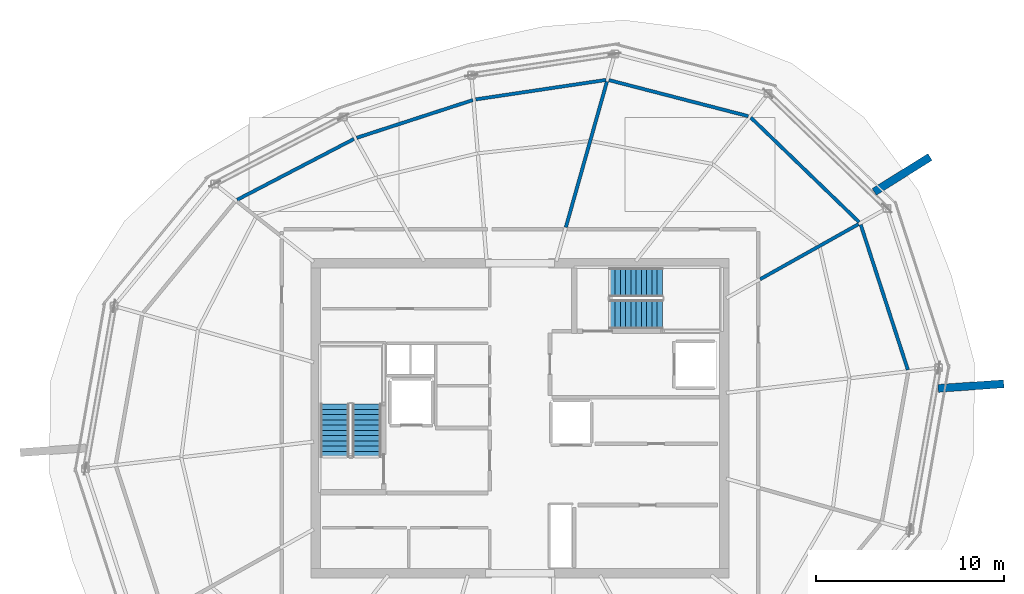
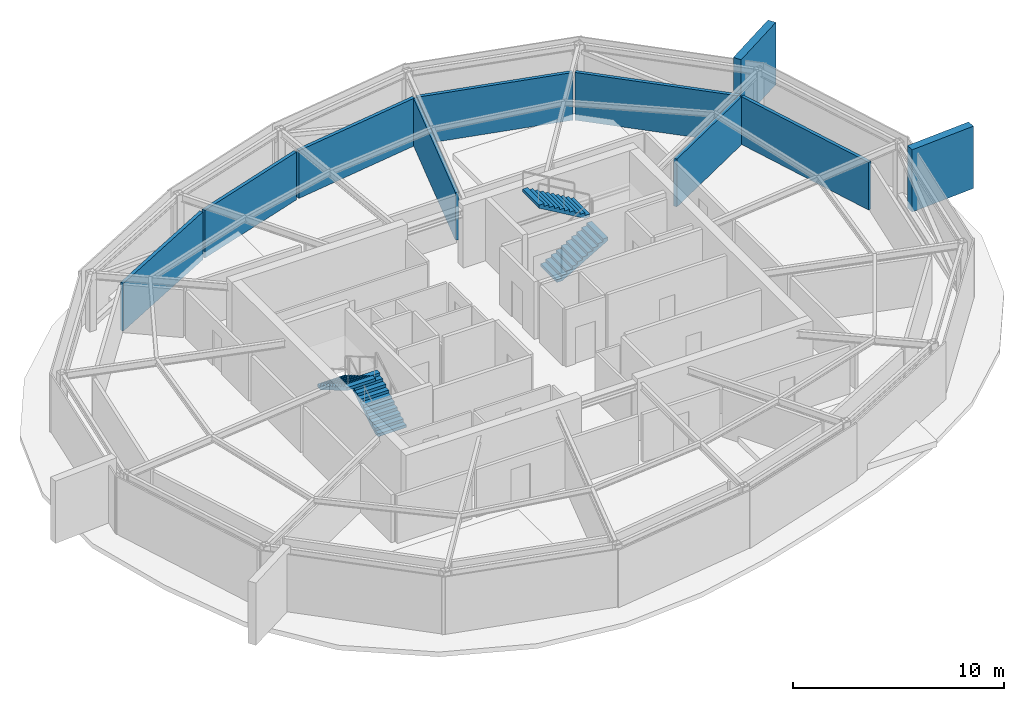
# One storey, part 9 of 10: 10 walls, 4 stair flights, 2 elements without a shape of their own.
"""IFC4 building model written with IfcOpenShell, lengths in metres."""

from ifc_helpers import new_model, si_unit, direction, frame, frame_2d, origin, place, context, subcontext, project, spatial, polyline, rectangle, outline, extrude, material, layer, layer_set, type_object, element, aggregate, save


model = new_model("IFC4")

# Units and contexts
model_context = context("Model", 3, precision=1e-05, world=origin(), true_north=direction((0.0, 1.0)))
body_context = subcontext(model_context, "Body", "Model", "MODEL_VIEW")
ifc_project = project(units=[si_unit("LENGTHUNIT", "METRE"), si_unit("AREAUNIT", "SQUARE_METRE"), si_unit("VOLUMEUNIT", "CUBIC_METRE"), si_unit("PLANEANGLEUNIT", "RADIAN"), si_unit("MASSUNIT", "GRAM", prefix="KILO")], contexts=[model_context])

# Site, building, storey
site_placement = place(None, origin())
site = spatial("IfcSite", under=ifc_project, at=site_placement, CompositionType="ELEMENT")
building_placement = place(site_placement, origin())
building = spatial("IfcBuilding", under=site, at=building_placement, Name="Kazma Halo Residences", CompositionType="ELEMENT")
storey_placement = place(building_placement, frame((0.0, 0.0, 356.0)))
storey = spatial("IfcBuildingStorey", under=building, at=storey_placement, Name="L89", CompositionType="ELEMENT", Elevation=356.0)

# Walls
ifc_material_1 = material(Name="Pale Concrete C60/75", Category="concrete")
ifc_layer_1 = layer(ifc_material_1, 0.419921875)
ifc_layer_set_1 = layer_set([ifc_layer_1], Name="Pale Concrete C60/75")
wall_type_1 = type_object("IfcWallType", Name="WL-BLADE-420", PredefinedType="SOLIDWALL", material=ifc_layer_set_1)
for number, where, z_axis, x_axis, name in (
    (1, (67.268798828125, 54.04052734375, 0.0), (0.0, 0.0, 1.0), (0.848033572426, 0.529942506352, 0.0), "L89 pale concrete structural blade fin wall BW-01"),
    (2, (70.666015625, 43.5849609375, 0.0), (0.0, 0.0, 1.0), (0.997564163539, 0.069754853754, 0.0), "L89 pale concrete structural blade fin wall BW-04"),
):
    element("IfcWall", number, at=place(storey_placement, frame(where, z_axis=z_axis, x_axis=x_axis)), inside=storey, type_object=wall_type_1, Name=name, PredefinedType="SOLIDWALL", context=body_context, shape_type="SweptSolid", body=[
        extrude(rectangle(XDim=3.5, YDim=0.419921875, at=frame_2d((1.75, 0.0))), origin(), (0.0, 0.0, 1.0), 3.60009765625),
    ])
ifc_material_2 = material(Name="Acoustic Twin-Stud Gypsum")
ifc_layer_2 = layer(ifc_material_2, 0.179931640625)
ifc_layer_set_2 = layer_set([ifc_layer_2], Name="Acoustic Twin-Stud Gypsum")
wall_type_2 = type_object("IfcWallType", Name="WL-DEM-180", PredefinedType="PARTITIONING", material=ifc_layer_set_2)
wall_1_placement = place(storey_placement, frame((66.466796875, 52.4296875, 0.0), z_axis=(0.0, 0.0, 1.0), x_axis=(-0.719364153135, 0.694633151516, 0.0)))
element("IfcWall", 3, at=wall_1_placement, inside=storey, type_object=wall_type_2, Name="L89 crown plant perimeter wall 00", PredefinedType="PARTITIONING", context=body_context, shape_type="SweptSolid", body=[
    extrude(rectangle(XDim=8.006103515625, YDim=0.179931640625, at=frame_2d((4.0029296875, 0.0))), origin(), (0.0, 0.0, 1.0), 2.760009765625),
])
wall_2_placement = place(storey_placement, frame((60.57275390625, 58.06640625, 0.0), z_axis=(0.0, 0.0, 1.0), x_axis=(-0.968117205342, 0.250497658115, 0.0)))
element("IfcWall", 4, at=wall_2_placement, inside=storey, type_object=wall_type_2, Name="L89 crown plant perimeter wall 01", PredefinedType="PARTITIONING", context=body_context, shape_type="SweptSolid", body=[
    extrude(rectangle(XDim=7.66162109375, YDim=0.179931640625, at=frame_2d((3.830810546875, 0.0))), origin(), (0.0, 0.0, 1.0), 2.760009765625),
])
wall_3_placement = place(storey_placement, frame((52.9990234375, 59.99365234375, 0.0), z_axis=(0.0, 0.0, 1.0), x_axis=(-0.989034336252, -0.147685753256, 0.0)))
element("IfcWall", 5, at=wall_3_placement, inside=storey, type_object=wall_type_2, Name="L89 crown plant perimeter wall 02", PredefinedType="PARTITIONING", context=body_context, shape_type="SweptSolid", body=[
    extrude(rectangle(XDim=7.002685546875, YDim=0.179931640625, at=frame_2d((3.50146484375, 0.0))), origin(), (0.0, 0.0, 1.0), 2.760009765625),
])
wall_4_placement = place(storey_placement, frame((45.91796875, 58.923095703125, 0.0), z_axis=(0.0, 0.0, 1.0), x_axis=(-0.95105283999, -0.309028308649, 0.0)))
element("IfcWall", 6, at=wall_4_placement, inside=storey, type_object=wall_type_2, Name="L89 crown plant perimeter wall 03", PredefinedType="PARTITIONING", context=body_context, shape_type="SweptSolid", body=[
    extrude(rectangle(XDim=6.498779296875, YDim=0.179931640625, at=frame_2d((3.24951171875, 0.0))), origin(), (0.0, 0.0, 1.0), 2.760009765625),
])
wall_5_placement = place(storey_placement, frame((39.590087890625, 56.85302734375, 0.0), z_axis=(0.0, 0.0, 1.0), x_axis=(-0.886949494865, -0.461866423935, 0.0)))
element("IfcWall", 7, at=wall_5_placement, inside=storey, type_object=wall_type_2, Name="L89 crown plant perimeter wall 04", PredefinedType="PARTITIONING", context=body_context, shape_type="SweptSolid", body=[
    extrude(rectangle(XDim=7.002197265625, YDim=0.179931640625, at=frame_2d((3.5009765625, 0.0))), origin(), (0.0, 0.0, 1.0), 2.760009765625),
])
wall_6_placement = place(storey_placement, frame((69.059326171875, 44.571533203125, 0.0), z_axis=(0.0, 0.0, 1.0), x_axis=(-0.309024234991, 0.951054163646, 0.0)))
element("IfcWall", 8, at=wall_6_placement, inside=storey, type_object=wall_type_2, Name="L89 crown plant perimeter wall 15", PredefinedType="PARTITIONING", context=body_context, shape_type="SweptSolid", body=[
    extrude(rectangle(XDim=8.1240234375, YDim=0.179931640625, at=frame_2d((4.06201171875, 0.0))), origin(), (0.0, 0.0, 1.0), 2.760009765625),
])
wall_7_placement = place(storey_placement, frame((61.196044921875, 49.39013671875, 0.0), z_axis=(0.0, 0.0, 1.0), x_axis=(0.87249769897, 0.488618220385, 0.0)))
element("IfcWall", 9, at=wall_7_placement, inside=storey, type_object=wall_type_2, Name="L89 radial partition wall 00", PredefinedType="PARTITIONING", context=body_context, shape_type="SweptSolid", body=[
    extrude(rectangle(XDim=6.0068359375, YDim=0.179931640625, at=frame_2d((3.00341796875, 0.0))), origin(), (0.0, 0.0, 1.0), 2.760009765625),
])
wall_8_placement = place(storey_placement, frame((50.8642578125, 52.156005859375, 0.0), z_axis=(0.0, 0.0, 1.0), x_axis=(0.271457285698, 0.962450488099, 0.0)))
element("IfcWall", 10, at=wall_8_placement, inside=storey, type_object=wall_type_2, Name="L89 radial partition wall 02", PredefinedType="PARTITIONING", context=body_context, shape_type="SweptSolid", body=[
    extrude(rectangle(XDim=8.0556640625, YDim=0.179931640625, at=frame_2d((4.02783203125, 0.0))), origin(), (0.0, 0.0, 1.0), 2.760009765625),
])

# Stair, stair flights
ifc_material_3 = material(Name="Concrete C50/60", Category="concrete")
stair_type = type_object("IfcStairType", Name="STR-CRWN", PredefinedType="HALF_TURN_STAIR", material=ifc_material_3)
stair_1_placement = place(storey_placement, origin())
stair_1 = element("IfcStair", 11, at=stair_1_placement, inside=storey, type_object=stair_type, Name="L89 Core exit stair ST-01", PredefinedType="HALF_TURN_STAIR")
stair_flight_type = type_object("IfcStairFlightType", Name="STR-CRWN-FLT", PredefinedType="STRAIGHT", material=ifc_material_3)
stair_flight_1_placement = place(storey_placement, frame((40.27490234375, 39.949951171875, 0.0), z_axis=(0.0, 0.0, 1.0), x_axis=(0.0, 1.0, 0.0)))
stair_flight_1 = element("IfcStairFlight", 12, at=stair_flight_1_placement, type_object=stair_flight_type, Name="ST-01 flight 1", NumberOfRisers=11, NumberOfTreads=10, PredefinedType="STRAIGHT", RiserHeight=0.163636364, TreadLength=0.28, context=body_context, shape_type="SweptSolid", body=[
    extrude(outline(polyline([(0.0, 0.0), (0.0, 0.16357421875), (0.280029296875, 0.16357421875), (0.280029296875, 0.327392578125), (0.56005859375, 0.327392578125), (0.56005859375, 0.490966796875), (0.840087890625, 0.490966796875), (0.840087890625, 0.654541015625), (1.1201171875, 0.654541015625), (1.1201171875, 0.818115234375), (1.39990234375, 0.818115234375), (1.39990234375, 0.98193359375), (1.679931640625, 0.98193359375), (1.679931640625, 1.1455078125), (1.9599609375, 1.1455078125), (1.9599609375, 1.30908203125), (2.239990234375, 1.30908203125), (2.239990234375, 1.47265625), (2.52001953125, 1.47265625), (2.52001953125, 1.636474609375), (2.800048828125, 1.636474609375), (2.800048828125, 1.800048828125), (2.800048828125, 1.462646484375), (0.297119140625, 0.0), (0.0, 0.0)])), frame((0.0, 0.77490234375, 0.0), z_axis=(0.0, -1.0, 0.0), x_axis=(1.0, 0.0, 0.0)), (0.0, 0.0, 1.0), 1.550048828125),
])
stair_flight_2_placement = place(storey_placement, frame((38.574951171875, 42.75, 1.800048828125), z_axis=(0.0, 0.0, 1.0), x_axis=(0.0, -1.0, 0.0)))
stair_flight_2 = element("IfcStairFlight", 13, at=stair_flight_2_placement, type_object=stair_flight_type, Name="ST-01 flight 2", NumberOfRisers=11, NumberOfTreads=10, PredefinedType="STRAIGHT", RiserHeight=0.163636364, TreadLength=0.28, context=body_context, shape_type="SweptSolid", body=[
    extrude(outline(polyline([(0.0, 0.0), (0.0, 0.16357421875), (0.280029296875, 0.16357421875), (0.280029296875, 0.327392578125), (0.56005859375, 0.327392578125), (0.56005859375, 0.490966796875), (0.840087890625, 0.490966796875), (0.840087890625, 0.654541015625), (1.1201171875, 0.654541015625), (1.1201171875, 0.818115234375), (1.39990234375, 0.818115234375), (1.39990234375, 0.98193359375), (1.679931640625, 0.98193359375), (1.679931640625, 1.1455078125), (1.9599609375, 1.1455078125), (1.9599609375, 1.30908203125), (2.239990234375, 1.30908203125), (2.239990234375, 1.47265625), (2.52001953125, 1.47265625), (2.52001953125, 1.636474609375), (2.800048828125, 1.636474609375), (2.800048828125, 1.800048828125), (2.800048828125, 1.462646484375), (0.297119140625, 0.0), (0.0, 0.0)])), frame((0.0, 0.77490234375, 0.0), z_axis=(0.0, -1.0, 0.0), x_axis=(1.0, 0.0, 0.0)), (0.0, 0.0, 1.0), 1.550048828125),
])
aggregate(stair_1, [stair_flight_1, stair_flight_2])

stair_2_placement = place(storey_placement, origin())
stair_2 = element("IfcStair", 14, at=stair_2_placement, inside=storey, type_object=stair_type, Name="L89 Core exit stair ST-02", PredefinedType="HALF_TURN_STAIR")
stair_flight_3_placement = place(storey_placement, frame((53.199951171875, 47.52490234375, 0.0), z_axis=(0.0, 0.0, 1.0), x_axis=(1.0, 0.0, 0.0)))
stair_flight_3 = element("IfcStairFlight", 15, at=stair_flight_3_placement, type_object=stair_flight_type, Name="ST-02 flight 1", NumberOfRisers=11, NumberOfTreads=10, PredefinedType="STRAIGHT", RiserHeight=0.163636364, TreadLength=0.28, context=body_context, shape_type="SweptSolid", body=[
    extrude(outline(polyline([(0.0, 0.0), (0.0, 0.16357421875), (0.280029296875, 0.16357421875), (0.280029296875, 0.327392578125), (0.56005859375, 0.327392578125), (0.56005859375, 0.490966796875), (0.840087890625, 0.490966796875), (0.840087890625, 0.654541015625), (1.1201171875, 0.654541015625), (1.1201171875, 0.818115234375), (1.39990234375, 0.818115234375), (1.39990234375, 0.98193359375), (1.679931640625, 0.98193359375), (1.679931640625, 1.1455078125), (1.9599609375, 1.1455078125), (1.9599609375, 1.30908203125), (2.239990234375, 1.30908203125), (2.239990234375, 1.47265625), (2.52001953125, 1.47265625), (2.52001953125, 1.636474609375), (2.800048828125, 1.636474609375), (2.800048828125, 1.800048828125), (2.800048828125, 1.462646484375), (0.297119140625, 0.0), (0.0, 0.0)])), frame((0.0, 0.77490234375, 0.0), z_axis=(0.0, -1.0, 0.0), x_axis=(1.0, 0.0, 0.0)), (0.0, 0.0, 1.0), 1.550048828125),
])
stair_flight_4_placement = place(storey_placement, frame((56.0, 49.22509765625, 1.800048828125), z_axis=(0.0, 0.0, 1.0), x_axis=(-1.0, 0.0, 0.0)))
stair_flight_4 = element("IfcStairFlight", 16, at=stair_flight_4_placement, type_object=stair_flight_type, Name="ST-02 flight 2", NumberOfRisers=11, NumberOfTreads=10, PredefinedType="STRAIGHT", RiserHeight=0.163636364, TreadLength=0.28, context=body_context, shape_type="SweptSolid", body=[
    extrude(outline(polyline([(0.0, 0.0), (0.0, 0.16357421875), (0.280029296875, 0.16357421875), (0.280029296875, 0.327392578125), (0.56005859375, 0.327392578125), (0.56005859375, 0.490966796875), (0.840087890625, 0.490966796875), (0.840087890625, 0.654541015625), (1.1201171875, 0.654541015625), (1.1201171875, 0.818115234375), (1.39990234375, 0.818115234375), (1.39990234375, 0.98193359375), (1.679931640625, 0.98193359375), (1.679931640625, 1.1455078125), (1.9599609375, 1.1455078125), (1.9599609375, 1.30908203125), (2.239990234375, 1.30908203125), (2.239990234375, 1.47265625), (2.52001953125, 1.47265625), (2.52001953125, 1.636474609375), (2.800048828125, 1.636474609375), (2.800048828125, 1.800048828125), (2.800048828125, 1.462646484375), (0.297119140625, 0.0), (0.0, 0.0)])), frame((0.0, 0.77490234375, 0.0), z_axis=(0.0, -1.0, 0.0), x_axis=(1.0, 0.0, 0.0)), (0.0, 0.0, 1.0), 1.550048828125),
])
aggregate(stair_2, [stair_flight_3, stair_flight_4])

save(model, "model.ifc")
